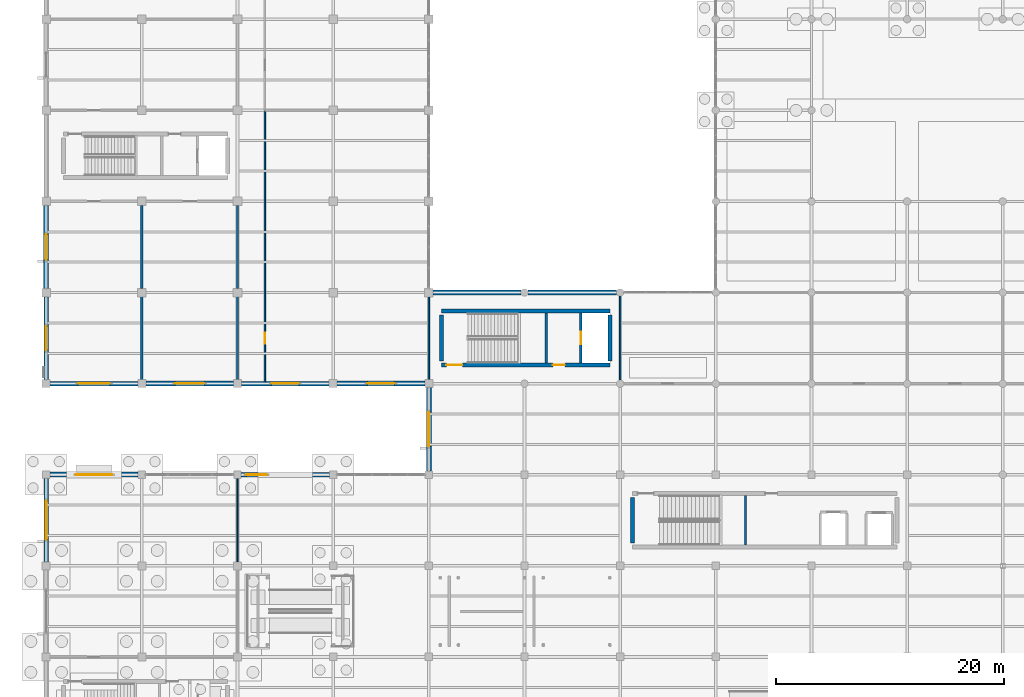
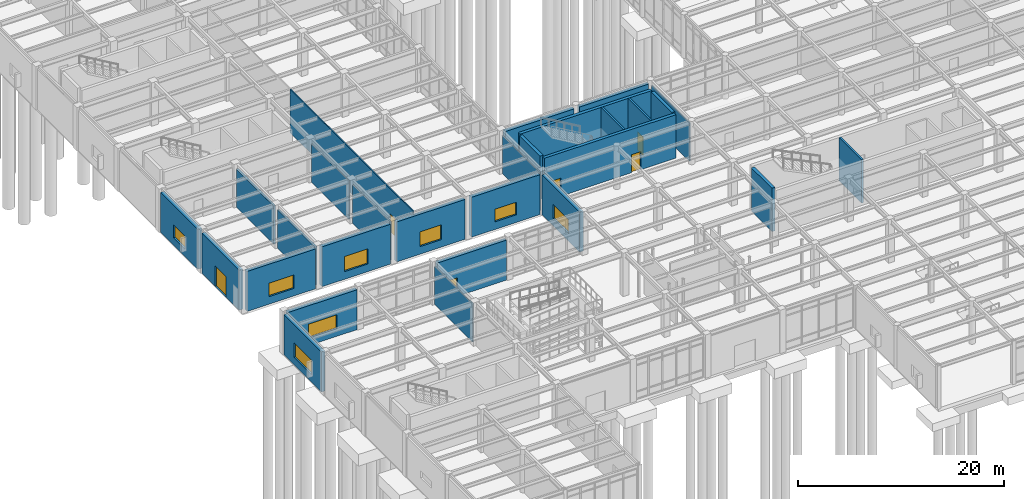
# One storey, part 76 of 138: 28 walls, 8 windows, 6 doors, 14 openings.
"""IFC4 building model written with IfcOpenShell, lengths in metres."""

import ifcopenshell
import ifcopenshell.guid

model = None  # the IFC model being written
_history = None  # IfcOwnerHistory: only IFC2X3 demands one
_inside = {}  # id of a spatial element -> (the spatial element, [elements in it])
_under = {}  # id of a project, library or spatial element -> (it, [spatial elements below it])
_declared = {}  # id of a project -> (the project, [libraries it declares])
_typed = {}  # id of a type object -> (the type object, [elements of that type])
_made_of = {}  # id of a material, layer set ... -> (it, [elements and type objects made of it])


def new_model(schema):
    """Start an empty IFC model of exactly this schema.

    Asked for "IFC4X3", IfcOpenShell would pick the latest addendum, in which some entities
    have other attributes; the version numbers below select the first issue.
    IFC2X3 requires an IfcOwnerHistory on every rooted entity: one is made here for all.
    """
    global model, _history
    if schema == "IFC4X3":
        model = ifcopenshell.file(schema_version=(4, 3, 0, 0))
    else:
        model = ifcopenshell.file(schema=schema)
    _inside.clear()
    _under.clear()
    _declared.clear()
    _typed.clear()
    _made_of.clear()
    _history = None
    if model.schema == "IFC2X3":
        org = make("IfcOrganization", Name="unknown")
        user = make(
            "IfcPersonAndOrganization",
            ThePerson=make("IfcPerson", FamilyName="unknown"),
            TheOrganization=org,
        )
        app = make(
            "IfcApplication",
            ApplicationDeveloper=org,
            Version="unknown",
            ApplicationFullName="unknown",
            ApplicationIdentifier="unknown",
        )
        _history = make(
            "IfcOwnerHistory",
            OwningUser=user,
            OwningApplication=app,
            ChangeAction="ADDED",
            CreationDate=0,
        )
    return model


def make(cls, **values):
    """One entity of the class cls with the attributes given. An attribute that is None is left unset."""
    return model.create_entity(
        cls, **{name: value for name, value in values.items() if value is not None}
    )


def rooted(cls, **values):
    """An entity with a GlobalId (a new one), such as an element, a storey or a relation."""
    return make(cls, GlobalId=ifcopenshell.guid.new(), OwnerHistory=_history, **values)


def si_unit(unit_type, name, prefix=None):
    """IfcSIUnit, for example si_unit("LENGTHUNIT", "METRE", prefix="MILLI")."""
    return make("IfcSIUnit", UnitType=unit_type, Prefix=prefix, Name=name)


def assignment(units):
    """IfcUnitAssignment: the units of a project."""
    return None if units is None else make("IfcUnitAssignment", Units=units)


def point(xyz):
    """IfcCartesianPoint."""
    return None if xyz is None else make("IfcCartesianPoint", Coordinates=xyz)


def direction(xyz):
    """IfcDirection."""
    return None if xyz is None else make("IfcDirection", DirectionRatios=xyz)


def frame(location, z_axis=None, x_axis=None):
    """IfcAxis2Placement3D, a coordinate frame: its origin and axes. An axis left out is left unset."""
    return make(
        "IfcAxis2Placement3D",
        Location=point(location),
        Axis=direction(z_axis),
        RefDirection=direction(x_axis),
    )


def frame_2d(location, x_axis=None):
    """IfcAxis2Placement2D, a coordinate frame in the plane: its origin and x axis."""
    return make(
        "IfcAxis2Placement2D", Location=point(location), RefDirection=direction(x_axis)
    )


def origin():
    """The frame at (0, 0, 0) with its axes left unset."""
    return frame((0.0, 0.0, 0.0))


def place(relative_to, where):
    """IfcLocalPlacement: puts the frame where relative to a parent placement (None: the world)."""
    return make(
        "IfcLocalPlacement", PlacementRelTo=relative_to, RelativePlacement=where
    )


def context(
    kind, dimensions, precision=None, world=None, true_north=None, identifier=None
):
    """IfcGeometricRepresentationContext, for example the 3D "Model" context."""
    return make(
        "IfcGeometricRepresentationContext",
        ContextIdentifier=identifier,
        ContextType=kind,
        CoordinateSpaceDimension=dimensions,
        Precision=precision,
        WorldCoordinateSystem=world,
        TrueNorth=true_north,
    )


def subcontext(parent, identifier, kind, view, scale=None):
    """IfcGeometricRepresentationSubContext, for example "Body" below "Model"."""
    return make(
        "IfcGeometricRepresentationSubContext",
        ContextIdentifier=identifier,
        ContextType=kind,
        ParentContext=parent,
        TargetScale=scale,
        TargetView=view,
    )


def project(units=None, contexts=None):
    """IfcProject with its units and contexts."""
    return rooted(
        "IfcProject",
        Name="project",
        RepresentationContexts=contexts,
        UnitsInContext=assignment(units),
    )


def spatial(cls, under=None, at=None, **own):
    """A site, building, storey or space (cls), placed at a placement, below another one or the project."""
    s = rooted(cls, ObjectPlacement=at, **own)
    if under is not None:
        _under.setdefault(under.id(), (under, []))[1].append(s)
    return s


def profile(cls, at=None, kind="AREA", **sizes):
    """A parametric profile (cls). Its sizes go by their IFC names, for example OverallWidth=200.0."""
    return make(cls, ProfileType=kind, Position=at, **sizes)


def rectangle(**sizes):
    """IfcRectangleProfileDef."""
    return profile("IfcRectangleProfileDef", **sizes)


def extrude(swept, where, along, depth):
    """IfcExtrudedAreaSolid: the profile swept, set in the frame where, extruded along a direction by depth."""
    return make(
        "IfcExtrudedAreaSolid",
        SweptArea=swept,
        Position=where,
        ExtrudedDirection=direction(along),
        Depth=depth,
    )


def shape(context_of_items, identifier, shape_type, items):
    """IfcShapeRepresentation: the items that make up one representation, for example the "Body"."""
    return make(
        "IfcShapeRepresentation",
        ContextOfItems=context_of_items,
        RepresentationIdentifier=identifier,
        RepresentationType=shape_type,
        Items=items,
    )


def material(Name=None, Category=None):
    """IfcMaterial."""
    return make("IfcMaterial", Name=Name, Category=Category)


def layer(
    of_material, thickness, ventilated=None, Name=None, Category=None, Priority=None
):
    """IfcMaterialLayer: one layer of a wall or slab, of a material (None: an air gap)."""
    return make(
        "IfcMaterialLayer",
        Material=of_material,
        LayerThickness=thickness,
        IsVentilated=ventilated,
        Name=Name,
        Category=Category,
        Priority=Priority,
    )


def layer_set(layers, Name=None):
    """IfcMaterialLayerSet."""
    return make("IfcMaterialLayerSet", MaterialLayers=layers, LayerSetName=Name)


def made_of(thing, what):
    """Note that an element or type object is made of a material, layer set ...; save() writes the relation."""
    if what is not None:
        _made_of.setdefault(what.id(), (what, []))[1].append(thing)
    return thing


def type_object(cls, material=None, **own):
    """A type object (cls), such as IfcWallType, which elements share."""
    return made_of(rooted(cls, **own), material)


def element(
    cls,
    number,
    at=None,
    inside=None,
    cuts=None,
    type_object=None,
    material=None,
    context=None,
    identifier="Body",
    shape_type=None,
    held_by="IfcProductDefinitionShape",
    body=None,
    shapes=None,
    **own,
):
    """One element of the class cls, such as IfcWall. Its Tag is "e" and its number.

    at: its placement. inside: the storey or other place that contains it. cuts: it is an
    opening in that element (IfcRelVoidsElement). A single representation is given by context,
    identifier, shape_type and body (its items); several are given by shapes. held_by: the class
    of the entity that holds the representations. save() writes the other relations.
    """
    e = rooted(cls, Tag="e%d" % number, ObjectPlacement=at, **own)
    if body is not None:
        shapes = [shape(context, identifier, shape_type, body)]
    if shapes is not None:
        e.Representation = make(held_by, Representations=shapes)
    if inside is not None:
        _inside.setdefault(inside.id(), (inside, []))[1].append(e)
    if cuts is not None:
        rooted(
            "IfcRelVoidsElement", RelatingBuildingElement=cuts, RelatedOpeningElement=e
        )
    if type_object is not None:
        _typed.setdefault(type_object.id(), (type_object, []))[1].append(e)
    return made_of(e, material)


def fill(opening, filler):
    """IfcRelFillsElement: the door or window that sits in an opening."""
    return rooted(
        "IfcRelFillsElement",
        RelatingOpeningElement=opening,
        RelatedBuildingElement=filler,
    )


def aggregate(whole, parts):
    """IfcRelAggregates: a whole, such as a stair, and the parts it consists of."""
    return rooted("IfcRelAggregates", RelatingObject=whole, RelatedObjects=parts)


def save(model, path):
    """Write the relations noted so far, then the file.

    IfcRelAggregates (storeys below a building ...), IfcRelContainedInSpatialStructure (elements
    in a storey), IfcRelDefinesByType, IfcRelAssociatesMaterial and IfcRelDeclares: one each for
    every whole, place, type object, material and project.
    """
    for whole, parts in _under.values():
        aggregate(whole, parts)
    for where, things in _inside.values():
        rooted(
            "IfcRelContainedInSpatialStructure",
            RelatedElements=things,
            RelatingStructure=where,
        )
    for kind, things in _typed.values():
        rooted("IfcRelDefinesByType", RelatedObjects=things, RelatingType=kind)
    for what, things in _made_of.values():
        rooted("IfcRelAssociatesMaterial", RelatedObjects=things, RelatingMaterial=what)
    for by, libraries in _declared.values():
        rooted("IfcRelDeclares", RelatingContext=by, RelatedDefinitions=libraries)
    model.write(path)


model = new_model("IFC4")

# Units and contexts
model_context = context("Model", 3, precision=1e-05, world=origin(), true_north=direction((0.0, 1.0)))
body_context = subcontext(model_context, "Body", "Model", "MODEL_VIEW")
ifc_project = project(units=[si_unit("LENGTHUNIT", "METRE"), si_unit("AREAUNIT", "SQUARE_METRE"), si_unit("VOLUMEUNIT", "CUBIC_METRE"), si_unit("PLANEANGLEUNIT", "RADIAN"), si_unit("MASSUNIT", "GRAM", prefix="KILO")], contexts=[model_context])

# Site, building, storey
site_placement = place(None, origin())
site = spatial("IfcSite", under=ifc_project, at=site_placement, CompositionType="ELEMENT")
building_placement = place(site_placement, origin())
building = spatial("IfcBuilding", under=site, at=building_placement, Name="Kranzveld Transit Interchange", CompositionType="ELEMENT")
storey_placement = place(building_placement, origin())
storey = spatial("IfcBuildingStorey", under=building, at=storey_placement, Name="L00", CompositionType="ELEMENT", Elevation=0.0)

# Wall, openings, doors
ifc_material_1 = material(Name="Concrete C40/50", Category="concrete")
ifc_layer_1 = layer(ifc_material_1, 0.35009765625)
ifc_layer_set_1 = layer_set([ifc_layer_1], Name="Concrete C40/50")
wall_type_1 = type_object("IfcWallType", Name="Core Shear Wall RC 350 C40/50", PredefinedType="SHEAR", material=ifc_layer_set_1)
wall_1_placement = place(storey_placement, frame((34.699951171875, 49.639892578125, 0.0), z_axis=(0.0, 0.0, 1.0), x_axis=(1.0, 0.0, 0.0)))
wall_1 = element("IfcWall", 1, at=wall_1_placement, inside=storey, type_object=wall_type_1, Name="L00 Metro West Core C5 Shear Wall S", PredefinedType="SHEAR", context=body_context, shape_type="SweptSolid", body=[
    extrude(rectangle(XDim=14.800048828125, YDim=0.35009765625, at=frame_2d((7.39990234375, 0.0))), origin(), (0.0, 0.0, 1.0), 5.14990234375),
])
opening_1_placement = place(wall_1_placement, frame((1.849853515625, 0.0, 0.0), z_axis=(0.0, 0.0, 1.0), x_axis=(-1.0, 0.0, 0.0)))
opening_1 = element("IfcOpeningElement", 2, at=opening_1_placement, cuts=wall_1, Name="Opening D-ST-C5-L00", PredefinedType="OPENING", context=body_context, shape_type="SweptSolid", body=[
    extrude(rectangle(XDim=1.39990234375, YDim=2.14990234375, at=frame_2d((0.699951171875, 1.074951171875))), frame((0.0, 0.18505859375, 0.0), z_axis=(0.0, -1.0, 0.0), x_axis=(1.0, 0.0, 0.0)), (0.0, 0.0, 1.0), 0.3701171875),
])
opening_2_placement = place(wall_1_placement, frame((10.85009765625, 0.0, 0.0), z_axis=(0.0, 0.0, 1.0), x_axis=(-1.0, 0.0, 0.0)))
opening_2 = element("IfcOpeningElement", 3, at=opening_2_placement, cuts=wall_1, Name="Opening D-LB-C5-L00", PredefinedType="OPENING", context=body_context, shape_type="SweptSolid", body=[
    extrude(rectangle(XDim=1.050048828125, YDim=2.14990234375, at=frame_2d((0.52490234375, 1.074951171875))), frame((0.0, 0.18505859375, 0.0), z_axis=(0.0, -1.0, 0.0), x_axis=(1.0, 0.0, 0.0)), (0.0, 0.0, 1.0), 0.3701171875),
])
ifc_material_2 = material(Name="Steel S355JR", Category="steel")
door_type_1 = type_object("IfcDoorType", Name="Lift Lobby Fire Door 1050x2150 FD120S", OperationType="NOTDEFINED", PredefinedType="DOOR", material=ifc_material_2)
door_1_placement = place(opening_2_placement, origin())
door_1 = element("IfcDoor", 4, at=door_1_placement, inside=storey, type_object=door_type_1, Name="L00 Metro West Core C5 Lift Protected Lobby Door", OperationType="SINGLE_SWING_RIGHT", OverallHeight=2.14990234375, OverallWidth=1.050048828125, PredefinedType="DOOR", context=body_context, shape_type="SweptSolid", body=[
    extrude(rectangle(XDim=1.050048828125, YDim=2.14990234375, at=frame_2d((0.52490234375, 1.074951171875))), frame((0.0, 0.02490234375, 0.0), z_axis=(0.0, -1.0, 0.0), x_axis=(1.0, 0.0, 0.0)), (0.0, 0.0, 1.0), 0.050048828125),
])
fill(opening_2, door_1)
ifc_material_3 = material(Name="Steel S355JR", Category="steel")
door_type_2 = type_object("IfcDoorType", Name="Metro Stair Double Fire Door 1400x2150 FD120S", OperationType="NOTDEFINED", PredefinedType="DOOR", material=ifc_material_3)
door_2_placement = place(opening_1_placement, origin())
door_2 = element("IfcDoor", 5, at=door_2_placement, inside=storey, type_object=door_type_2, Name="L00 ST-M1 Protected Stair Door", OperationType="DOUBLE_DOOR_SINGLE_SWING", OverallHeight=2.14990234375, OverallWidth=1.39990234375, PredefinedType="DOOR", context=body_context, shape_type="SweptSolid", body=[
    extrude(rectangle(XDim=1.39990234375, YDim=2.14990234375, at=frame_2d((0.699951171875, 1.074951171875))), frame((0.0, 0.02490234375, 0.0), z_axis=(0.0, -1.0, 0.0), x_axis=(1.0, 0.0, 0.0)), (0.0, 0.0, 1.0), 0.050048828125),
])
fill(opening_1, door_2)

# Walls
wall_2_placement = place(storey_placement, frame((34.699951171875, 54.360107421875, 0.0), z_axis=(0.0, 0.0, 1.0), x_axis=(1.0, 0.0, 0.0)))
element("IfcWall", 6, at=wall_2_placement, inside=storey, type_object=wall_type_1, Name="L00 Metro West Core C5 Shear Wall N", PredefinedType="SHEAR", context=body_context, shape_type="SweptSolid", body=[
    extrude(rectangle(XDim=14.800048828125, YDim=0.35009765625, at=frame_2d((7.39990234375, 0.0))), origin(), (0.0, 0.0, 1.0), 5.14990234375),
])
for number, where, z_axis, x_axis, name in (
    (7, (34.699951171875, 49.989990234375, 0.0), (0.0, 0.0, 1.0), (0.0, 1.0, 0.0), "L00 Metro West Core C5 Shear Wall W"),
    (8, (49.5, 49.989990234375, 0.0), (0.0, 0.0, 1.0), (0.0, 1.0, 0.0), "L00 Metro West Core C5 Shear Wall E"),
    (9, (51.5, 33.989990234375, 0.0), (0.0, 0.0, 1.0), (0.0, 1.0, 0.0), "L00 Metro East & Bus Mezzanine Core C6 Shear Wall W"),
):
    element("IfcWall", number, at=place(storey_placement, frame(where, z_axis=z_axis, x_axis=x_axis)), inside=storey, type_object=wall_type_1, Name=name, PredefinedType="SHEAR", context=body_context, shape_type="SweptSolid", body=[
        extrude(rectangle(XDim=4.02001953125, YDim=0.35009765625, at=frame_2d((2.010009765625, 0.0))), origin(), (0.0, 0.0, 1.0), 5.14990234375),
    ])

# Wall, opening, window
ifc_material_4 = material(Name="Dark Pretoria clinker clay plinth brick, 40 MPa", Category="masonry")
ifc_layer_2 = layer(ifc_material_4, 0.409912109375)
ifc_layer_set_2 = layer_set([ifc_layer_2], Name="Dark Pretoria clinker clay plinth brick, 40 MPa")
wall_type_2 = type_object("IfcWallType", Name="Exterior Arcade Wall Dark Clinker 410", PredefinedType="SOLIDWALL", material=ifc_layer_set_2)
wall_3_placement = place(storey_placement, frame((0.0, 32.35009765625, 0.0), z_axis=(0.0, 0.0, 1.0), x_axis=(0.0, 1.0, 0.0)))
wall_3 = element("IfcWall", 10, at=wall_3_placement, inside=storey, type_object=wall_type_2, Name="L00 Clinker Facade Wall 01/E-01/F", PredefinedType="SOLIDWALL", context=body_context, shape_type="SweptSolid", body=[
    extrude(rectangle(XDim=7.324951171875, YDim=0.409912109375, at=frame_2d((3.66259765625, 0.0))), origin(), (0.0, 0.0, 1.0), 4.747314453125),
])
opening_3_placement = place(wall_3_placement, frame((1.96240234375, 0.0, 0.89990234375), z_axis=(0.0, 0.0, 1.0), x_axis=(1.0, 0.0, 0.0)))
opening_3 = element("IfcOpeningElement", 11, at=opening_3_placement, cuts=wall_3, Name="Opening W-02", PredefinedType="OPENING", context=body_context, shape_type="SweptSolid", body=[
    extrude(rectangle(XDim=3.39990234375, YDim=1.699951171875, at=frame_2d((1.699951171875, 0.85009765625))), frame((0.0, 0.21484375, 0.0), z_axis=(0.0, -1.0, 0.0), x_axis=(1.0, 0.0, 0.0)), (0.0, 0.0, 1.0), 0.429931640625),
])
ifc_material_5 = material(Name="Solar-control double glazing", Category="glass")
window_type_1 = type_object("IfcWindowType", Name="Window Ribbon Triple 3400x1700", PartitioningType="TRIPLE_PANEL_VERTICAL", PredefinedType="WINDOW", material=ifc_material_5)
window_1_placement = place(opening_3_placement, origin())
window_1 = element("IfcWindow", 12, at=window_1_placement, inside=storey, type_object=window_type_1, Name="L00 Facade Window 01/E", OverallHeight=1.699951171875, OverallWidth=3.39990234375, PartitioningType="TRIPLE_PANEL_VERTICAL", PredefinedType="WINDOW", context=body_context, shape_type="SweptSolid", body=[
    extrude(rectangle(XDim=3.39990234375, YDim=1.699951171875, at=frame_2d((1.699951171875, 0.85009765625))), frame((0.0, 0.030029296875, 0.0), z_axis=(0.0, -1.0, 0.0), x_axis=(1.0, 0.0, 0.0)), (0.0, 0.0, 1.0), 0.06005859375),
])
fill(opening_3, window_1)

# Wall, opening, door
wall_4_placement = place(storey_placement, frame((17.125, 40.0, 0.0), z_axis=(0.0, 0.0, 1.0), x_axis=(1.0, 0.0, 0.0)))
wall_4 = element("IfcWall", 13, at=wall_4_placement, inside=storey, type_object=wall_type_2, Name="L00 Clinker Facade Wall 03/F-04/F", PredefinedType="SOLIDWALL", context=body_context, shape_type="SweptSolid", body=[
    extrude(rectangle(XDim=7.75, YDim=0.409912109375, at=frame_2d((3.875, 0.0))), origin(), (0.0, 0.0, 1.0), 4.740478515625),
])
opening_4_placement = place(wall_4_placement, frame((0.449951171875, 0.0, 0.0), z_axis=(0.0, 0.0, 1.0), x_axis=(1.0, 0.0, 0.0)))
opening_4 = element("IfcOpeningElement", 14, at=opening_4_placement, cuts=wall_4, Name="Opening ED-00-01", PredefinedType="OPENING", context=body_context, shape_type="SweptSolid", body=[
    extrude(rectangle(XDim=1.800048828125, YDim=2.199951171875, at=frame_2d((0.89990234375, 1.10009765625))), frame((0.0, 0.21484375, 0.0), z_axis=(0.0, -1.0, 0.0), x_axis=(1.0, 0.0, 0.0)), (0.0, 0.0, 1.0), 0.429931640625),
])
ifc_material_6 = material(Name="Bronze-anodised thermally broken aluminium", Category="aluminium")
door_type_3 = type_object("IfcDoorType", Name="Final Exit Double Fire Door 1800x2200 FD60S", OperationType="NOTDEFINED", PredefinedType="DOOR", material=ifc_material_6)
door_3_placement = place(opening_4_placement, origin())
door_3 = element("IfcDoor", 15, at=door_3_placement, inside=storey, type_object=door_type_3, Name="L00 Entrance/Exit Door 03/F", OperationType="DOUBLE_DOOR_SINGLE_SWING", OverallHeight=2.199951171875, OverallWidth=1.800048828125, PredefinedType="DOOR", context=body_context, shape_type="SweptSolid", body=[
    extrude(rectangle(XDim=1.800048828125, YDim=2.199951171875, at=frame_2d((0.89990234375, 1.10009765625))), frame((0.0, 0.02490234375, 0.0), z_axis=(0.0, -1.0, 0.0), x_axis=(1.0, 0.0, 0.0)), (0.0, 0.0, 1.0), 0.050048828125),
])
fill(opening_4, door_3)

# Wall, opening, window
wall_5_placement = place(storey_placement, frame((0.35009765625, 48.0, 0.0), z_axis=(0.0, 0.0, 1.0), x_axis=(1.0, 0.0, 0.0)))
wall_5 = element("IfcWall", 16, at=wall_5_placement, inside=storey, type_object=wall_type_2, Name="L00 Clinker Facade Wall 01/G-02/G", PredefinedType="SOLIDWALL", context=body_context, shape_type="SweptSolid", body=[
    extrude(rectangle(XDim=7.699951171875, YDim=0.409912109375, at=frame_2d((3.85009765625, 0.0))), origin(), (0.0, 0.0, 1.0), 4.740478515625),
])
opening_5_placement = place(wall_5_placement, frame((2.449951171875, 0.0, 0.89990234375), z_axis=(0.0, 0.0, 1.0), x_axis=(1.0, 0.0, 0.0)))
opening_5 = element("IfcOpeningElement", 17, at=opening_5_placement, cuts=wall_5, Name="Opening W-05", PredefinedType="OPENING", context=body_context, shape_type="SweptSolid", body=[
    extrude(rectangle(XDim=2.800048828125, YDim=1.60009765625, at=frame_2d((1.39990234375, 0.800048828125))), frame((0.0, 0.21484375, 0.0), z_axis=(0.0, -1.0, 0.0), x_axis=(1.0, 0.0, 0.0)), (0.0, 0.0, 1.0), 0.429931640625),
])
ifc_material_7 = material(Name="Solar-control double glazing", Category="glass")
window_type_2 = type_object("IfcWindowType", Name="Window Ribbon Double 2800x1600", PartitioningType="DOUBLE_PANEL_VERTICAL", PredefinedType="WINDOW", material=ifc_material_7)
window_2_placement = place(opening_5_placement, origin())
window_2 = element("IfcWindow", 18, at=window_2_placement, inside=storey, type_object=window_type_2, Name="L00 Facade Window 01/G", OverallHeight=1.60009765625, OverallWidth=2.800048828125, PartitioningType="DOUBLE_PANEL_VERTICAL", PredefinedType="WINDOW", context=body_context, shape_type="SweptSolid", body=[
    extrude(rectangle(XDim=2.800048828125, YDim=1.60009765625, at=frame_2d((1.39990234375, 0.800048828125))), frame((0.0, 0.030029296875, 0.0), z_axis=(0.0, -1.0, 0.0), x_axis=(1.0, 0.0, 0.0)), (0.0, 0.0, 1.0), 0.06005859375),
])
fill(opening_5, window_2)

wall_6_placement = place(storey_placement, frame((17.14990234375, 48.0, 0.0), z_axis=(0.0, 0.0, 1.0), x_axis=(1.0, 0.0, 0.0)))
wall_6 = element("IfcWall", 19, at=wall_6_placement, inside=storey, type_object=wall_type_2, Name="L00 Clinker Facade Wall 03/G-04/G", PredefinedType="SOLIDWALL", context=body_context, shape_type="SweptSolid", body=[
    extrude(rectangle(XDim=7.7001953125, YDim=0.409912109375, at=frame_2d((3.85009765625, 0.0))), origin(), (0.0, 0.0, 1.0), 4.740478515625),
])
opening_6_placement = place(wall_6_placement, frame((2.64990234375, 0.0, 0.89990234375), z_axis=(0.0, 0.0, 1.0), x_axis=(1.0, 0.0, 0.0)))
opening_6 = element("IfcOpeningElement", 20, at=opening_6_placement, cuts=wall_6, Name="Opening W-07", PredefinedType="OPENING", context=body_context, shape_type="SweptSolid", body=[
    extrude(rectangle(XDim=2.39990234375, YDim=1.75, at=frame_2d((1.199951171875, 0.875))), frame((0.0, 0.21484375, 0.0), z_axis=(0.0, -1.0, 0.0), x_axis=(1.0, 0.0, 0.0)), (0.0, 0.0, 1.0), 0.429931640625),
])
ifc_material_8 = material(Name="Solar-control double glazing", Category="glass")
window_type_3 = type_object("IfcWindowType", Name="Window Civic Double 2400x1750", PartitioningType="DOUBLE_PANEL_VERTICAL", PredefinedType="WINDOW", material=ifc_material_8)
window_3_placement = place(opening_6_placement, origin())
window_3 = element("IfcWindow", 21, at=window_3_placement, inside=storey, type_object=window_type_3, Name="L00 Facade Window 03/G", OverallHeight=1.75, OverallWidth=2.39990234375, PartitioningType="DOUBLE_PANEL_VERTICAL", PredefinedType="WINDOW", context=body_context, shape_type="SweptSolid", body=[
    extrude(rectangle(XDim=2.39990234375, YDim=1.75, at=frame_2d((1.199951171875, 0.875))), frame((0.0, 0.030029296875, 0.0), z_axis=(0.0, -1.0, 0.0), x_axis=(1.0, 0.0, 0.0)), (0.0, 0.0, 1.0), 0.06005859375),
])
fill(opening_6, window_3)

# Wall, opening, door
wall_7_placement = place(storey_placement, frame((0.0, 48.35009765625, 0.0), z_axis=(0.0, 0.0, 1.0), x_axis=(0.0, 1.0, 0.0)))
wall_7 = element("IfcWall", 22, at=wall_7_placement, inside=storey, type_object=wall_type_2, Name="L00 Clinker Facade Wall 01/G-01/H", PredefinedType="SOLIDWALL", context=body_context, shape_type="SweptSolid", body=[
    extrude(rectangle(XDim=7.27490234375, YDim=0.409912109375, at=frame_2d((3.637451171875, 0.0))), origin(), (0.0, 0.0, 1.0), 4.747314453125),
])
opening_7_placement = place(wall_7_placement, frame((2.58740234375, 0.0, 0.0), z_axis=(0.0, 0.0, 1.0), x_axis=(1.0, 0.0, 0.0)))
opening_7 = element("IfcOpeningElement", 23, at=opening_7_placement, cuts=wall_7, Name="Opening ED-00-02", PredefinedType="OPENING", context=body_context, shape_type="SweptSolid", body=[
    extrude(rectangle(XDim=2.10009765625, YDim=2.449951171875, at=frame_2d((1.050048828125, 1.22509765625))), frame((0.0, 0.21484375, 0.0), z_axis=(0.0, -1.0, 0.0), x_axis=(1.0, 0.0, 0.0)), (0.0, 0.0, 1.0), 0.429931640625),
])
ifc_material_9 = material(Name="Bronze-anodised thermally broken aluminium", Category="aluminium")
door_type_4 = type_object("IfcDoorType", Name="Forecourt Double Entrance Door 2100x2450", OperationType="NOTDEFINED", PredefinedType="DOOR", material=ifc_material_9)
door_4_placement = place(opening_7_placement, origin())
door_4 = element("IfcDoor", 24, at=door_4_placement, inside=storey, type_object=door_type_4, Name="L00 Entrance/Exit Door 01/G", OperationType="DOUBLE_DOOR_SINGLE_SWING", OverallHeight=2.449951171875, OverallWidth=2.10009765625, PredefinedType="DOOR", context=body_context, shape_type="SweptSolid", body=[
    extrude(rectangle(XDim=2.10009765625, YDim=2.449951171875, at=frame_2d((1.050048828125, 1.22509765625))), frame((0.0, 0.02490234375, 0.0), z_axis=(0.0, -1.0, 0.0), x_axis=(1.0, 0.0, 0.0)), (0.0, 0.0, 1.0), 0.050048828125),
])
fill(opening_7, door_4)

# Wall
wall_8_placement = place(storey_placement, frame((42.324951171875, 56.0, 0.0), z_axis=(0.0, 0.0, 1.0), x_axis=(1.0, 0.0, 0.0)))
element("IfcWall", 25, at=wall_8_placement, inside=storey, type_object=wall_type_2, Name="L00 Clinker Facade Wall 06/H-07/H", PredefinedType="SOLIDWALL", context=body_context, shape_type="SweptSolid", body=[
    extrude(rectangle(XDim=7.75, YDim=0.409912109375, at=frame_2d((3.875, 0.0))), origin(), (0.0, 0.0, 1.0), 4.740478515625),
])

# Wall, opening, window
ifc_material_10 = material(Name="Dark Pretoria clinker clay plinth brick, 40 MPa", Category="masonry")
ifc_layer_3 = layer(ifc_material_10, 0.43994140625)
ifc_layer_set_3 = layer_set([ifc_layer_3], Name="Dark Pretoria clinker clay plinth brick, 40 MPa")
wall_type_3 = type_object("IfcWallType", Name="Exterior Plinth Wall Dark Clinker 440", PredefinedType="SOLIDWALL", material=ifc_layer_set_3)
wall_9_placement = place(storey_placement, frame((0.324951171875, 40.0, 0.0), z_axis=(0.0, 0.0, 1.0), x_axis=(1.0, 0.0, 0.0)))
wall_9 = element("IfcWall", 26, at=wall_9_placement, inside=storey, type_object=wall_type_3, Name="L00 Clinker Facade Wall 01/F-02/F", PredefinedType="SOLIDWALL", context=body_context, shape_type="SweptSolid", body=[
    extrude(rectangle(XDim=7.75, YDim=0.43994140625, at=frame_2d((3.875, 0.0))), origin(), (0.0, 0.0, 1.0), 4.740478515625),
])
opening_8_placement = place(wall_9_placement, frame((2.27490234375, 0.0, 0.89990234375), z_axis=(0.0, 0.0, 1.0), x_axis=(1.0, 0.0, 0.0)))
opening_8 = element("IfcOpeningElement", 27, at=opening_8_placement, cuts=wall_9, Name="Opening W-03", PredefinedType="OPENING", context=body_context, shape_type="SweptSolid", body=[
    extrude(rectangle(XDim=3.199951171875, YDim=1.64990234375, at=frame_2d((1.60009765625, 0.824951171875))), frame((0.0, 0.22998046875, 0.0), z_axis=(0.0, -1.0, 0.0), x_axis=(1.0, 0.0, 0.0)), (0.0, 0.0, 1.0), 0.4599609375),
])
ifc_material_11 = material(Name="Solar-control double glazing", Category="glass")
window_type_4 = type_object("IfcWindowType", Name="Window Ribbon Triple 3200x1650", PartitioningType="TRIPLE_PANEL_VERTICAL", PredefinedType="WINDOW", material=ifc_material_11)
window_4_placement = place(opening_8_placement, origin())
window_4 = element("IfcWindow", 28, at=window_4_placement, inside=storey, type_object=window_type_4, Name="L00 Facade Window 01/F", OverallHeight=1.64990234375, OverallWidth=3.199951171875, PartitioningType="TRIPLE_PANEL_VERTICAL", PredefinedType="WINDOW", context=body_context, shape_type="SweptSolid", body=[
    extrude(rectangle(XDim=3.199951171875, YDim=1.64990234375, at=frame_2d((1.60009765625, 0.824951171875))), frame((0.0, 0.030029296875, 0.0), z_axis=(0.0, -1.0, 0.0), x_axis=(1.0, 0.0, 0.0)), (0.0, 0.0, 1.0), 0.06005859375),
])
fill(opening_8, window_4)

wall_10_placement = place(storey_placement, frame((33.60009765625, 40.324951171875, 0.0), z_axis=(0.0, 0.0, 1.0), x_axis=(0.0, 1.0, 0.0)))
wall_10 = element("IfcWall", 29, at=wall_10_placement, inside=storey, type_object=wall_type_3, Name="L00 Clinker Facade Wall 05/F-05/G", PredefinedType="SOLIDWALL", context=body_context, shape_type="SweptSolid", body=[
    extrude(rectangle(XDim=7.324951171875, YDim=0.43994140625, at=frame_2d((3.66259765625, 0.0))), origin(), (0.0, 0.0, 1.0), 4.747314453125),
])
opening_9_placement = place(wall_10_placement, frame((2.16259765625, 0.0, 0.89990234375), z_axis=(0.0, 0.0, 1.0), x_axis=(1.0, 0.0, 0.0)))
opening_9 = element("IfcOpeningElement", 30, at=opening_9_placement, cuts=wall_10, Name="Opening W-04", PredefinedType="OPENING", context=body_context, shape_type="SweptSolid", body=[
    extrude(rectangle(XDim=3.0, YDim=1.64990234375, at=frame_2d((1.5, 0.824951171875))), frame((0.0, 0.22998046875, 0.0), z_axis=(0.0, -1.0, 0.0), x_axis=(1.0, 0.0, 0.0)), (0.0, 0.0, 1.0), 0.4599609375),
])
ifc_material_12 = material(Name="Solar-control double glazing", Category="glass")
window_type_5 = type_object("IfcWindowType", Name="Window Ribbon Double 3000x1650", PartitioningType="DOUBLE_PANEL_VERTICAL", PredefinedType="WINDOW", material=ifc_material_12)
window_5_placement = place(opening_9_placement, origin())
window_5 = element("IfcWindow", 31, at=window_5_placement, inside=storey, type_object=window_type_5, Name="L00 Facade Window 05/F", OverallHeight=1.64990234375, OverallWidth=3.0, PartitioningType="DOUBLE_PANEL_VERTICAL", PredefinedType="WINDOW", context=body_context, shape_type="SweptSolid", body=[
    extrude(rectangle(XDim=3.0, YDim=1.64990234375, at=frame_2d((1.5, 0.824951171875))), frame((0.0, 0.030029296875, 0.0), z_axis=(0.0, -1.0, 0.0), x_axis=(1.0, 0.0, 0.0)), (0.0, 0.0, 1.0), 0.06005859375),
])
fill(opening_9, window_5)

wall_11_placement = place(storey_placement, frame((8.75, 48.0, 0.0), z_axis=(0.0, 0.0, 1.0), x_axis=(1.0, 0.0, 0.0)))
wall_11 = element("IfcWall", 32, at=wall_11_placement, inside=storey, type_object=wall_type_3, Name="L00 Clinker Facade Wall 02/G-03/G", PredefinedType="SOLIDWALL", context=body_context, shape_type="SweptSolid", body=[
    extrude(rectangle(XDim=7.699951171875, YDim=0.43994140625, at=frame_2d((3.85009765625, 0.0))), origin(), (0.0, 0.0, 1.0), 4.740478515625),
])
opening_10_placement = place(wall_11_placement, frame((2.550048828125, 0.0, 0.89990234375), z_axis=(0.0, 0.0, 1.0), x_axis=(1.0, 0.0, 0.0)))
opening_10 = element("IfcOpeningElement", 33, at=opening_10_placement, cuts=wall_11, Name="Opening W-06", PredefinedType="OPENING", context=body_context, shape_type="SweptSolid", body=[
    extrude(rectangle(XDim=2.60009765625, YDim=1.800048828125, at=frame_2d((1.300048828125, 0.89990234375))), frame((0.0, 0.22998046875, 0.0), z_axis=(0.0, -1.0, 0.0), x_axis=(1.0, 0.0, 0.0)), (0.0, 0.0, 1.0), 0.4599609375),
])
ifc_material_13 = material(Name="Solar-control double glazing", Category="glass")
window_type_6 = type_object("IfcWindowType", Name="Window Civic Double 2600x1800", PartitioningType="DOUBLE_PANEL_VERTICAL", PredefinedType="WINDOW", material=ifc_material_13)
window_6_placement = place(opening_10_placement, origin())
window_6 = element("IfcWindow", 34, at=window_6_placement, inside=storey, type_object=window_type_6, Name="L00 Facade Window 02/G", OverallHeight=1.800048828125, OverallWidth=2.60009765625, PartitioningType="DOUBLE_PANEL_VERTICAL", PredefinedType="WINDOW", context=body_context, shape_type="SweptSolid", body=[
    extrude(rectangle(XDim=2.60009765625, YDim=1.800048828125, at=frame_2d((1.300048828125, 0.89990234375))), frame((0.0, 0.030029296875, 0.0), z_axis=(0.0, -1.0, 0.0), x_axis=(1.0, 0.0, 0.0)), (0.0, 0.0, 1.0), 0.06005859375),
])
fill(opening_10, window_6)

wall_12_placement = place(storey_placement, frame((25.550048828125, 48.0, 0.0), z_axis=(0.0, 0.0, 1.0), x_axis=(1.0, 0.0, 0.0)))
wall_12 = element("IfcWall", 35, at=wall_12_placement, inside=storey, type_object=wall_type_3, Name="L00 Clinker Facade Wall 04/G-05/G", PredefinedType="SOLIDWALL", context=body_context, shape_type="SweptSolid", body=[
    extrude(rectangle(XDim=7.699951171875, YDim=0.43994140625, at=frame_2d((3.85009765625, 0.0))), origin(), (0.0, 0.0, 1.0), 4.740478515625),
])
opening_11_placement = place(wall_12_placement, frame((2.64990234375, 0.0, 0.89990234375), z_axis=(0.0, 0.0, 1.0), x_axis=(1.0, 0.0, 0.0)))
opening_11 = element("IfcOpeningElement", 36, at=opening_11_placement, cuts=wall_12, Name="Opening W-08", PredefinedType="OPENING", context=body_context, shape_type="SweptSolid", body=[
    extrude(rectangle(XDim=2.39990234375, YDim=1.5, at=frame_2d((1.199951171875, 0.75))), frame((0.0, 0.22998046875, 0.0), z_axis=(0.0, -1.0, 0.0), x_axis=(1.0, 0.0, 0.0)), (0.0, 0.0, 1.0), 0.4599609375),
])
ifc_material_14 = material(Name="Solar-control double glazing", Category="glass")
window_type_7 = type_object("IfcWindowType", Name="Window Civic Double 2400x1500", PartitioningType="DOUBLE_PANEL_VERTICAL", PredefinedType="WINDOW", material=ifc_material_14)
window_7_placement = place(opening_11_placement, origin())
window_7 = element("IfcWindow", 37, at=window_7_placement, inside=storey, type_object=window_type_7, Name="L00 Facade Window 04/G", OverallHeight=1.5, OverallWidth=2.39990234375, PartitioningType="DOUBLE_PANEL_VERTICAL", PredefinedType="WINDOW", context=body_context, shape_type="SweptSolid", body=[
    extrude(rectangle(XDim=2.39990234375, YDim=1.5, at=frame_2d((1.199951171875, 0.75))), frame((0.0, 0.030029296875, 0.0), z_axis=(0.0, -1.0, 0.0), x_axis=(1.0, 0.0, 0.0)), (0.0, 0.0, 1.0), 0.06005859375),
])
fill(opening_11, window_7)

wall_13_placement = place(storey_placement, frame((0.0, 56.375, 0.0), z_axis=(0.0, 0.0, 1.0), x_axis=(0.0, 1.0, 0.0)))
wall_13 = element("IfcWall", 38, at=wall_13_placement, inside=storey, type_object=wall_type_3, Name="L00 Clinker Facade Wall 01/H-01/J", PredefinedType="SOLIDWALL", context=body_context, shape_type="SweptSolid", body=[
    extrude(rectangle(XDim=7.25, YDim=0.43994140625, at=frame_2d((3.625, 0.0))), origin(), (0.0, 0.0, 1.0), 4.747314453125),
])
opening_12_placement = place(wall_13_placement, frame((2.52490234375, 0.0, 0.89990234375), z_axis=(0.0, 0.0, 1.0), x_axis=(1.0, 0.0, 0.0)))
opening_12 = element("IfcOpeningElement", 39, at=opening_12_placement, cuts=wall_13, Name="Opening W-09", PredefinedType="OPENING", context=body_context, shape_type="SweptSolid", body=[
    extrude(rectangle(XDim=2.199951171875, YDim=1.5, at=frame_2d((1.10009765625, 0.75))), frame((0.0, 0.22998046875, 0.0), z_axis=(0.0, -1.0, 0.0), x_axis=(1.0, 0.0, 0.0)), (0.0, 0.0, 1.0), 0.4599609375),
])
ifc_material_15 = material(Name="Solar-control double glazing", Category="glass")
window_type_8 = type_object("IfcWindowType", Name="Window Office Double 2200x1500", PartitioningType="DOUBLE_PANEL_VERTICAL", PredefinedType="WINDOW", material=ifc_material_15)
window_8_placement = place(opening_12_placement, origin())
window_8 = element("IfcWindow", 40, at=window_8_placement, inside=storey, type_object=window_type_8, Name="L00 Facade Window 01/H", OverallHeight=1.5, OverallWidth=2.199951171875, PartitioningType="DOUBLE_PANEL_VERTICAL", PredefinedType="WINDOW", context=body_context, shape_type="SweptSolid", body=[
    extrude(rectangle(XDim=2.199951171875, YDim=1.5, at=frame_2d((1.10009765625, 0.75))), frame((0.0, 0.030029296875, 0.0), z_axis=(0.0, -1.0, 0.0), x_axis=(1.0, 0.0, 0.0)), (0.0, 0.0, 1.0), 0.06005859375),
])
fill(opening_12, window_8)

# Walls
wall_14_placement = place(storey_placement, frame((33.97509765625, 56.0, 0.0), z_axis=(0.0, 0.0, 1.0), x_axis=(1.0, 0.0, 0.0)))
element("IfcWall", 41, at=wall_14_placement, inside=storey, type_object=wall_type_3, Name="L00 Clinker Facade Wall 05/H-06/H", PredefinedType="SOLIDWALL", context=body_context, shape_type="SweptSolid", body=[
    extrude(rectangle(XDim=7.699951171875, YDim=0.43994140625, at=frame_2d((3.85009765625, 0.0))), origin(), (0.0, 0.0, 1.0), 4.740478515625),
])
ifc_material_16 = material(Name="Clay masonry unit wall, 20 MPa", Category="masonry")
ifc_layer_4 = layer(ifc_material_16, 0.22998046875)
ifc_layer_set_4 = layer_set([ifc_layer_4], Name="Clay masonry unit wall, 20 MPa")
wall_type_4 = type_object("IfcWallType", Name="Fire Compartment Wall Masonry 230 EI120", PredefinedType="PARTITIONING", material=ifc_layer_set_4)
wall_15_placement = place(storey_placement, frame((8.39990234375, 48.340087890625, 0.0), z_axis=(0.0, 0.0, 1.0), x_axis=(0.0, 1.0, 0.0)))
element("IfcWall", 42, at=wall_15_placement, inside=storey, type_object=wall_type_4, Name="L00 Partition IW-L00-L00V5S-E-030-0", PredefinedType="PARTITIONING", context=body_context, shape_type="SweptSolid", body=[
    extrude(rectangle(XDim=7.294921875, YDim=0.22998046875, at=frame_2d((3.6474609375, 0.0))), origin(), (0.0, 0.0, 1.0), 4.54248046875),
])
wall_16_placement = place(storey_placement, frame((8.39990234375, 56.364990234375, 0.0), z_axis=(0.0, 0.0, 1.0), x_axis=(0.0, 1.0, 0.0)))
element("IfcWall", 43, at=wall_16_placement, inside=storey, type_object=wall_type_4, Name="L00 Partition IW-L00-L00V5S-E-030-1", PredefinedType="PARTITIONING", context=body_context, shape_type="SweptSolid", body=[
    extrude(rectangle(XDim=7.27001953125, YDim=0.22998046875, at=frame_2d((3.635009765625, 0.0))), origin(), (0.0, 0.0, 1.0), 4.54248046875),
])
ifc_material_17 = material(Name="Clay masonry unit wall, 20 MPa", Category="masonry")
ifc_layer_5 = layer(ifc_material_17, 0.14990234375)
ifc_layer_set_5 = layer_set([ifc_layer_5], Name="Clay masonry unit wall, 20 MPa")
wall_type_5 = type_object("IfcWallType", Name="Fire Rated Partition Wall 150 EI60", PredefinedType="PARTITIONING", material=ifc_layer_set_5)
wall_17_placement = place(storey_placement, frame((16.800048828125, 48.340087890625, 0.0), z_axis=(0.0, 0.0, 1.0), x_axis=(0.0, 1.0, 0.0)))
element("IfcWall", 44, at=wall_17_placement, inside=storey, type_object=wall_type_5, Name="L00 Partition IW-L00-L00V5S-E-031-0", PredefinedType="PARTITIONING", context=body_context, shape_type="SweptSolid", body=[
    extrude(rectangle(XDim=7.294921875, YDim=0.14990234375, at=frame_2d((3.6474609375, 0.0))), origin(), (0.0, 0.0, 1.0), 4.54248046875),
])
wall_18_placement = place(storey_placement, frame((16.800048828125, 56.364990234375, 0.0), z_axis=(0.0, 0.0, 1.0), x_axis=(0.0, 1.0, 0.0)))
element("IfcWall", 45, at=wall_18_placement, inside=storey, type_object=wall_type_5, Name="L00 Partition IW-L00-L00V5S-E-031-1", PredefinedType="PARTITIONING", context=body_context, shape_type="SweptSolid", body=[
    extrude(rectangle(XDim=7.27001953125, YDim=0.14990234375, at=frame_2d((3.635009765625, 0.0))), origin(), (0.0, 0.0, 1.0), 4.54248046875),
])

# Wall, opening, door
ifc_material_18 = material(Name="Clay masonry unit wall, 20 MPa", Category="masonry")
ifc_layer_6 = layer(ifc_material_18, 0.125)
ifc_layer_set_6 = layer_set([ifc_layer_6], Name="Clay masonry unit wall, 20 MPa")
wall_type_6 = type_object("IfcWallType", Name="Internal Blockwork Partition 125", PredefinedType="PARTITIONING", material=ifc_layer_set_6)
wall_19_placement = place(storey_placement, frame((19.199951171875, 48.0400390625, 0.0), z_axis=(0.0, 0.0, 1.0), x_axis=(0.0, 1.0, 0.0)))
wall_19 = element("IfcWall", 46, at=wall_19_placement, inside=storey, type_object=wall_type_6, Name="L00 Partition IW-L00-L00V5E-FRT-036-0", PredefinedType="PARTITIONING", context=body_context, shape_type="SweptSolid", body=[
    extrude(rectangle(XDim=23.9599609375, YDim=0.125, at=frame_2d((11.97998046875, 0.0))), origin(), (0.0, 0.0, 1.0), 5.14990234375),
])
opening_13_placement = place(wall_19_placement, frame((4.43994140625, 0.0, 0.0), z_axis=(0.0, 0.0, 1.0), x_axis=(-1.0, 0.0, 0.0)))
opening_13 = element("IfcOpeningElement", 47, at=opening_13_placement, cuts=wall_19, Name="Opening D-036", PredefinedType="OPENING", context=body_context, shape_type="SweptSolid", body=[
    extrude(rectangle(XDim=0.97998046875, YDim=2.14990234375, at=frame_2d((0.489990234375, 1.074951171875))), frame((0.0, 0.072509765625, 0.0), z_axis=(0.0, -1.0, 0.0), x_axis=(1.0, 0.0, 0.0)), (0.0, 0.0, 1.0), 0.14501953125),
])
ifc_material_19 = material(Name="Bronze-anodised thermally broken aluminium", Category="aluminium")
door_type_5 = type_object("IfcDoorType", Name="Retail Back-of-House Door 980x2150", OperationType="NOTDEFINED", PredefinedType="DOOR", material=ifc_material_19)
door_5_placement = place(opening_13_placement, origin())
door_5 = element("IfcDoor", 48, at=door_5_placement, inside=storey, type_object=door_type_5, Name="L00 Interior Door D-036", OperationType="SINGLE_SWING_LEFT", OverallHeight=2.14990234375, OverallWidth=0.97998046875, PredefinedType="DOOR", context=body_context, shape_type="SweptSolid", body=[
    extrude(rectangle(XDim=0.97998046875, YDim=2.14990234375, at=frame_2d((0.489990234375, 1.074951171875))), frame((0.0, 0.02490234375, 0.0), z_axis=(0.0, -1.0, 0.0), x_axis=(1.0, 0.0, 0.0)), (0.0, 0.0, 1.0), 0.050048828125),
])
fill(opening_13, door_5)

# Walls
wall_20_placement = place(storey_placement, frame((50.39990234375, 48.31494140625, 0.0), z_axis=(0.0, 0.0, 1.0), x_axis=(0.0, 1.0, 0.0)))
element("IfcWall", 49, at=wall_20_placement, inside=storey, type_object=wall_type_6, Name="L00 Partition IW-L00-L00V1W-W-004-0", PredefinedType="PARTITIONING", context=body_context, shape_type="SweptSolid", body=[
    extrude(rectangle(XDim=7.3701171875, YDim=0.125, at=frame_2d((3.68505859375, 0.0))), origin(), (0.0, 0.0, 1.0), 4.54248046875),
])
wall_21_placement = place(storey_placement, frame((16.800048828125, 32.340087890625, 0.0), z_axis=(0.0, 0.0, 1.0), x_axis=(0.0, 1.0, 0.0)))
element("IfcWall", 50, at=wall_21_placement, inside=storey, type_object=wall_type_6, Name="L00 Partition IW-L00-L00V3N-E-017-1", PredefinedType="PARTITIONING", context=body_context, shape_type="SweptSolid", body=[
    extrude(rectangle(XDim=7.344970703125, YDim=0.125, at=frame_2d((3.67236328125, 0.0))), origin(), (0.0, 0.0, 1.0), 4.54248046875),
])
wall_22_placement = place(storey_placement, frame((33.60009765625, 48.340087890625, 0.0), z_axis=(0.0, 0.0, 1.0), x_axis=(0.0, 1.0, 0.0)))
element("IfcWall", 51, at=wall_22_placement, inside=storey, type_object=wall_type_6, Name="L00 Partition IW-L00-L00V5E-BCK-036-0", PredefinedType="PARTITIONING", context=body_context, shape_type="SweptSolid", body=[
    extrude(rectangle(XDim=7.294921875, YDim=0.125, at=frame_2d((3.6474609375, 0.0))), origin(), (0.0, 0.0, 1.0), 4.54248046875),
])
ifc_material_20 = material(Name="Concrete C40/50", Category="concrete")
ifc_layer_7 = layer(ifc_material_20, 0.199951171875)
ifc_layer_set_7 = layer_set([ifc_layer_7], Name="Concrete C40/50")
wall_type_7 = type_object("IfcWallType", Name="Lift Shaft Enclosure Wall RC 200 EI120", PredefinedType="SHEAR", material=ifc_layer_set_7)
wall_23_placement = place(storey_placement, frame((43.89990234375, 49.81494140625, 0.0), z_axis=(0.0, 0.0, 1.0), x_axis=(0.0, 1.0, 0.0)))
element("IfcWall", 52, at=wall_23_placement, inside=storey, type_object=wall_type_7, Name="L00 Metro West Core C5 Stair-Lobby Dividing Wall", PredefinedType="SHEAR", context=body_context, shape_type="SweptSolid", body=[
    extrude(rectangle(XDim=4.3701171875, YDim=0.199951171875, at=frame_2d((2.18505859375, 0.0))), origin(), (0.0, 0.0, 1.0), 5.14990234375),
])

# Wall, opening, door
wall_24_placement = place(storey_placement, frame((46.949951171875, 49.81494140625, 0.0), z_axis=(0.0, 0.0, 1.0), x_axis=(0.0, 1.0, 0.0)))
wall_24 = element("IfcWall", 53, at=wall_24_placement, inside=storey, type_object=wall_type_7, Name="L00 LF-M1 Shaft Front Wall", PredefinedType="SHEAR", context=body_context, shape_type="SweptSolid", body=[
    extrude(rectangle(XDim=4.3701171875, YDim=0.199951171875, at=frame_2d((2.18505859375, 0.0))), origin(), (0.0, 0.0, 1.0), 5.14990234375),
])
opening_14_placement = place(wall_24_placement, frame((1.635009765625, 0.0, 0.0), z_axis=(0.0, 0.0, 1.0), x_axis=(1.0, 0.0, 0.0)))
opening_14 = element("IfcOpeningElement", 54, at=opening_14_placement, cuts=wall_24, Name="Opening LD-LF-M1-L00", PredefinedType="OPENING", context=body_context, shape_type="SweptSolid", body=[
    extrude(rectangle(XDim=1.10009765625, YDim=2.14990234375, at=frame_2d((0.550048828125, 1.074951171875))), frame((0.0, 0.10986328125, 0.0), z_axis=(0.0, -1.0, 0.0), x_axis=(1.0, 0.0, 0.0)), (0.0, 0.0, 1.0), 0.219970703125),
])
ifc_material_21 = material(Name="Steel S355JR", Category="steel")
door_type_6 = type_object("IfcDoorType", Name="Lift Landing Sliding Door 1100x2150 FD120S", OperationType="NOTDEFINED", PredefinedType="DOOR", material=ifc_material_21)
door_6_placement = place(opening_14_placement, origin())
door_6 = element("IfcDoor", 55, at=door_6_placement, inside=storey, type_object=door_type_6, Name="L00 LF-M1 Sliding Landing Door", OperationType="DOUBLE_DOOR_SLIDING", OverallHeight=2.14990234375, OverallWidth=1.10009765625, PredefinedType="DOOR", context=body_context, shape_type="SweptSolid", body=[
    extrude(rectangle(XDim=1.10009765625, YDim=2.14990234375, at=frame_2d((0.550048828125, 1.074951171875))), frame((0.0, 0.02490234375, 0.0), z_axis=(0.0, -1.0, 0.0), x_axis=(1.0, 0.0, 0.0)), (0.0, 0.0, 1.0), 0.050048828125),
])
fill(opening_14, door_6)

# Wall
wall_25_placement = place(storey_placement, frame((61.39990234375, 33.81494140625, 0.0), z_axis=(0.0, 0.0, 1.0), x_axis=(0.0, 1.0, 0.0)))
element("IfcWall", 56, at=wall_25_placement, inside=storey, type_object=wall_type_7, Name="L00 Metro East & Bus Mezzanine Core C6 Stair-Lobby Dividing Wall", PredefinedType="SHEAR", context=body_context, shape_type="SweptSolid", body=[
    extrude(rectangle(XDim=4.3701171875, YDim=0.199951171875, at=frame_2d((2.18505859375, 0.0))), origin(), (0.0, 0.0, 1.0), 5.14990234375),
])

save(model, "model.ifc")
